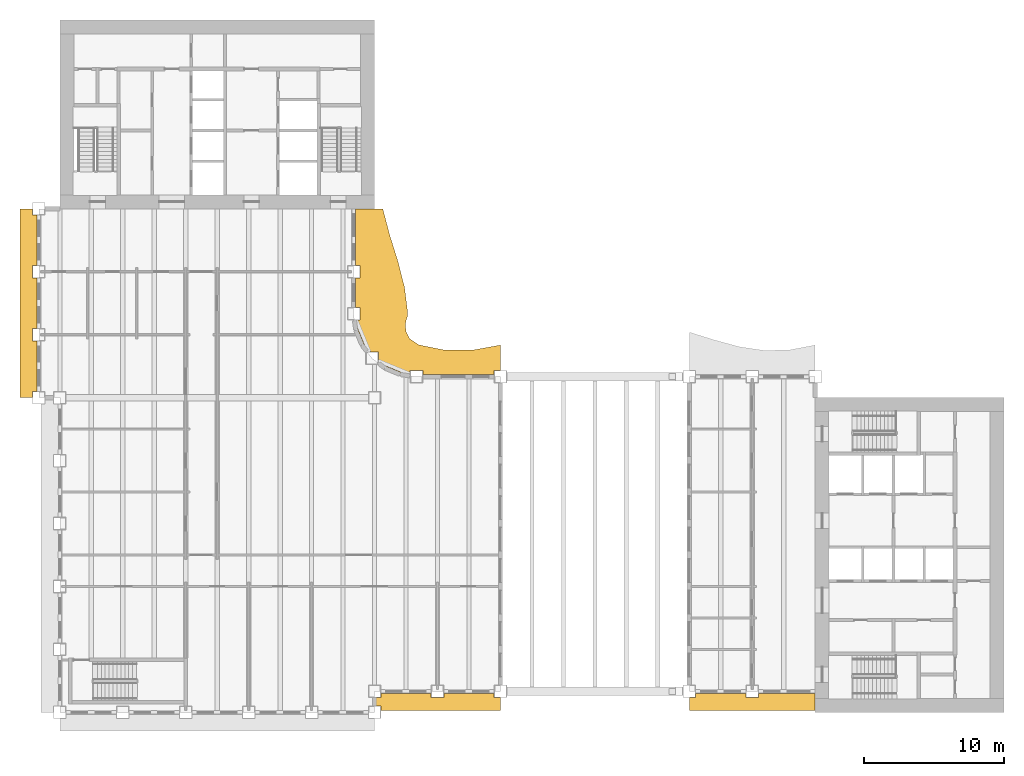
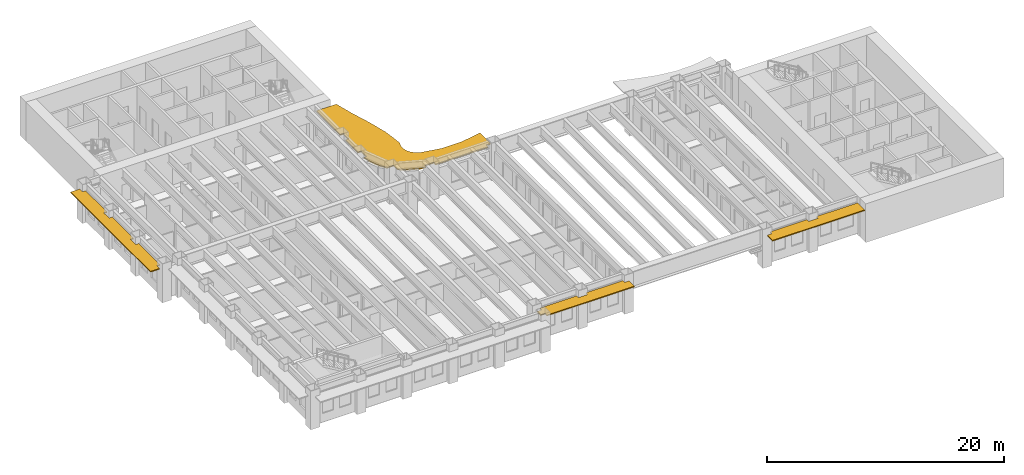
# One storey, part 11 of 13: 4 shading devices.
"""IFC4 building model written with IfcOpenShell, lengths in metres."""

from ifc_helpers import new_model, si_unit, direction, frame, origin, place, context, subcontext, project, spatial, polyline, outline, extrude, material, layer, layer_set, type_object, element, save


model = new_model("IFC4")

# Units and contexts
model_context = context("Model", 3, precision=1e-05, world=origin(), true_north=direction((0.0, 1.0)))
body_context = subcontext(model_context, "Body", "Model", "MODEL_VIEW")
ifc_project = project(units=[si_unit("LENGTHUNIT", "METRE"), si_unit("AREAUNIT", "SQUARE_METRE"), si_unit("VOLUMEUNIT", "CUBIC_METRE"), si_unit("PLANEANGLEUNIT", "RADIAN"), si_unit("MASSUNIT", "GRAM", prefix="KILO")], contexts=[model_context])

# Site, building, storey
site_placement = place(None, origin())
site = spatial("IfcSite", under=ifc_project, at=site_placement, CompositionType="ELEMENT")
building_placement = place(site_placement, origin())
building = spatial("IfcBuilding", under=site, at=building_placement, Name="Sennacour Bend Tower", CompositionType="ELEMENT")
storey_placement = place(building_placement, frame((0.0, 0.0, 147.0)))
storey = spatial("IfcBuildingStorey", under=building, at=storey_placement, Name="L33", CompositionType="ELEMENT", Elevation=147.0)

# Shading devices
ifc_material = material(Name="Bronze anodised aluminium", Category="aluminium")
ifc_layer_1 = layer(ifc_material, 0.10009765625, Name="Bronze anodised aluminium", Category="aluminium")
ifc_layer_set_1 = layer_set([ifc_layer_1], Name="Bronze anodised aluminium")
shading_device_type_1 = type_object("IfcShadingDeviceType", Name="SUNSHADE BAND STRAIGHT", PredefinedType="USERDEFINED", material=ifc_layer_set_1)
shading_device_1_placement = place(storey_placement, frame((0.0, 0.0, 3.049072265625)))
element("IfcShadingDevice", 1, at=shading_device_1_placement, inside=storey, type_object=shading_device_type_1, Name="Sunshade band L33 A outer face", ObjectType="SUNSHADE", PredefinedType="USERDEFINED", context=body_context, shape_type="SweptSolid", body=[
    extrude(outline(polyline([(49.050048828125, 1.35009765625), (49.050048828125, 1.050048828125), (49.949951171875, 1.050048828125), (49.949951171875, 1.35009765625), (54.0, 1.35009765625), (54.0, 0.14990234375), (45.0, 0.14990234375), (45.0, 1.050048828125), (45.449951171875, 1.050048828125), (45.449951171875, 1.35009765625), (49.050048828125, 1.35009765625)])), origin(), (0.0, 0.0, 1.0), 0.099853515625),
])
shading_device_2_placement = place(storey_placement, frame((0.0, 0.0, 3.049072265625)))
element("IfcShadingDevice", 2, at=shading_device_2_placement, inside=storey, type_object=shading_device_type_1, Name="Sunshade band L33 B outer face", ObjectType="SUNSHADE", PredefinedType="USERDEFINED", context=body_context, shape_type="SweptSolid", body=[
    extrude(outline(polyline([(-1.64990234375, 31.949951171875), (-1.949951171875, 31.949951171875), (-1.949951171875, 31.050048828125), (-1.64990234375, 31.050048828125), (-1.64990234375, 27.449951171875), (-1.949951171875, 27.449951171875), (-1.949951171875, 26.550048828125), (-1.64990234375, 26.550048828125), (-1.64990234375, 22.949951171875), (-1.949951171875, 22.949951171875), (-1.949951171875, 22.5), (-2.85009765625, 22.5), (-2.85009765625, 36.0), (-1.949951171875, 36.0), (-1.949951171875, 35.550048828125), (-1.64990234375, 35.550048828125), (-1.64990234375, 31.949951171875)])), origin(), (0.0, 0.0, 1.0), 0.099853515625),
])
shading_device_3_placement = place(storey_placement, frame((0.0, 0.0, 3.049072265625)))
element("IfcShadingDevice", 3, at=shading_device_3_placement, inside=storey, type_object=shading_device_type_1, Name="Sunshade band L33 A outer face", ObjectType="SUNSHADE", PredefinedType="USERDEFINED", context=body_context, shape_type="SweptSolid", body=[
    extrude(outline(polyline([(26.550048828125, 1.35009765625), (26.550048828125, 1.050048828125), (27.449951171875, 1.050048828125), (27.449951171875, 1.35009765625), (31.050048828125, 1.35009765625), (31.050048828125, 1.050048828125), (31.5, 1.050048828125), (31.5, 0.14990234375), (22.949951171875, 0.14990234375), (22.949951171875, 0.449951171875), (22.5, 0.449951171875), (22.5, 1.050048828125), (22.949951171875, 1.050048828125), (22.949951171875, 1.35009765625), (26.550048828125, 1.35009765625)])), origin(), (0.0, 0.0, 1.0), 0.099853515625),
])
ifc_layer_2 = layer(ifc_material, 0.1201171875, Name="Bronze anodised aluminium", Category="aluminium")
ifc_layer_set_2 = layer_set([ifc_layer_2], Name="Bronze anodised aluminium")
shading_device_type_2 = type_object("IfcShadingDeviceType", Name="SUNSHADE BAND WAVE", PredefinedType="USERDEFINED", material=ifc_layer_set_2)
shading_device_4_placement = place(storey_placement, frame((0.0, 0.0, 3.029052734375)))
element("IfcShadingDevice", 4, at=shading_device_4_placement, inside=storey, type_object=shading_device_type_2, Name="Sunshade band L33 concave faces", ObjectType="SUNSHADE", PredefinedType="USERDEFINED", context=body_context, shape_type="SweptSolid", body=[
    extrude(outline(polyline([(31.050048828125, 24.14990234375), (25.949951171875, 24.14990234375), (25.949951171875, 24.449951171875), (25.050048828125, 24.449951171875), (25.050048828125, 24.21044921875), (24.37451171875, 24.299560546875), (23.32568359375, 24.73388671875), (22.76806640625, 25.16162109375), (22.76806640625, 25.76806640625), (22.16162109375, 25.76806640625), (21.73388671875, 26.32568359375), (21.299560546875, 27.37451171875), (21.21044921875, 28.050048828125), (21.449951171875, 28.050048828125), (21.449951171875, 28.949951171875), (21.14990234375, 28.949951171875), (21.14990234375, 31.050048828125), (21.449951171875, 31.050048828125), (21.449951171875, 31.949951171875), (21.14990234375, 31.949951171875), (21.14990234375, 36.0), (23.08837890625, 36.0), (23.58251953125, 34.125), (24.16845703125, 32.25), (24.64501953125, 30.375), (24.848388671875, 28.752197265625), (24.85595703125, 28.327392578125), (24.7666015625, 28.07666015625), (24.6982421875, 27.6982421875), (24.755859375, 27.2109375), (25.01806640625, 26.70166015625), (25.6494140625, 26.277587890625), (27.5, 25.90283203125), (29.5, 25.89697265625), (31.5, 26.26220703125), (31.5, 24.449951171875), (31.050048828125, 24.449951171875), (31.050048828125, 24.14990234375)])), origin(), (0.0, 0.0, 1.0), 0.119873046875),
])

save(model, "model.ifc")
